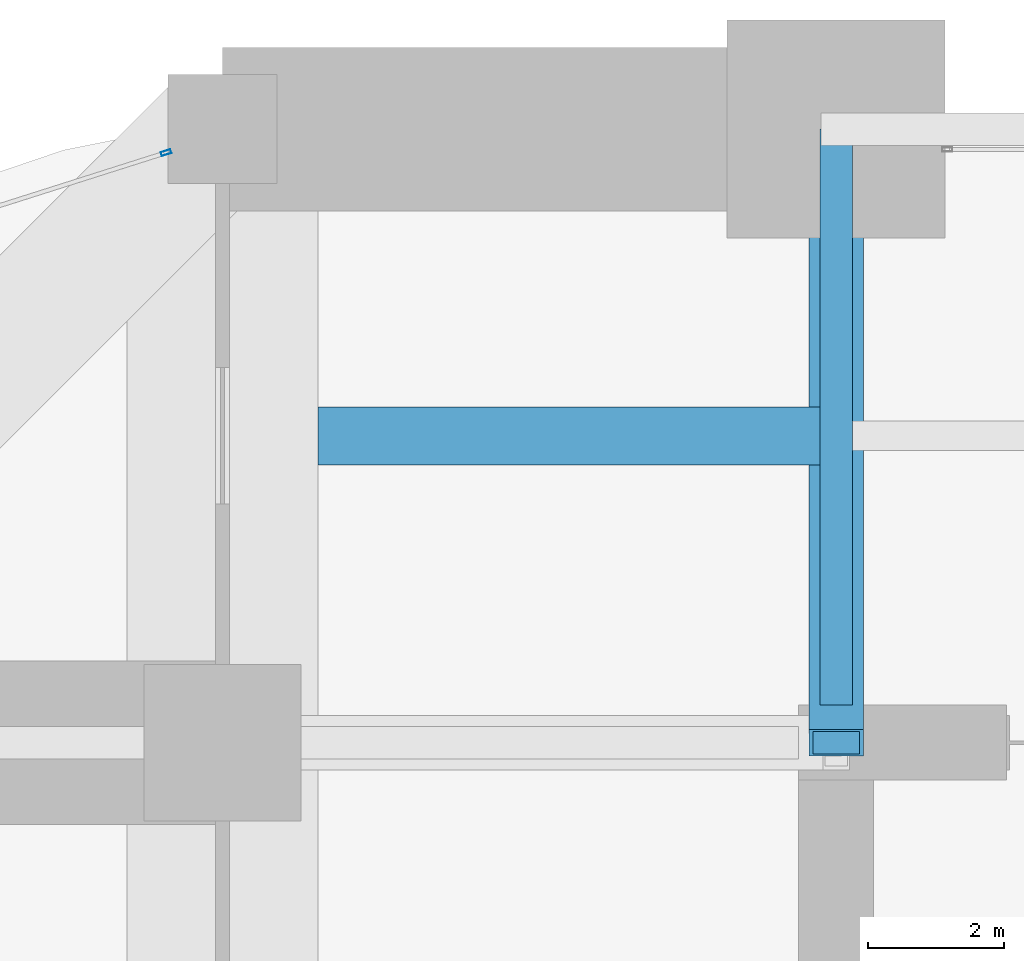
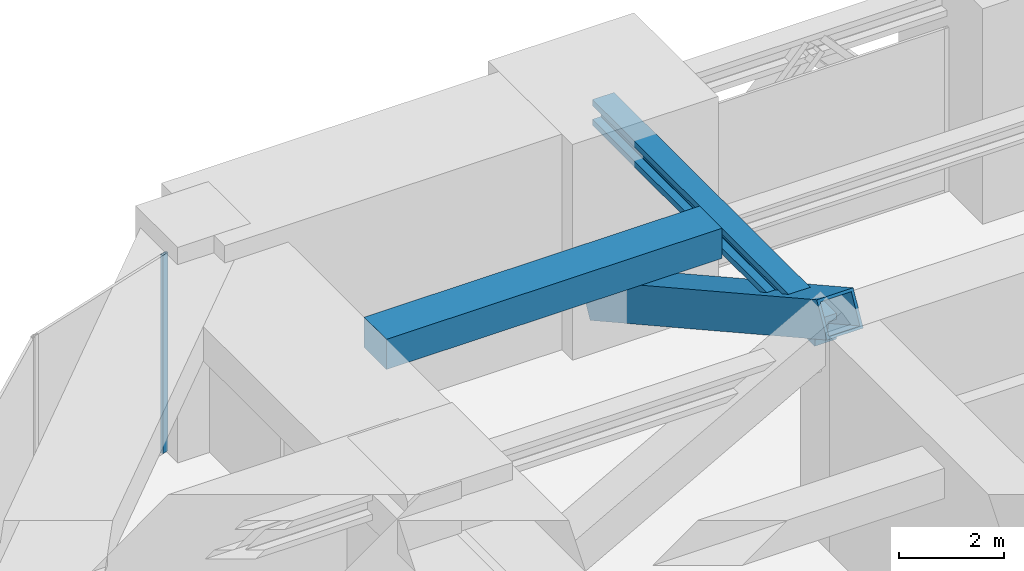
# One storey, part 21 of 32: 2 beams, 2 members, 1 element without a shape of its own.
"""IFC4 building model written with IfcOpenShell, lengths in metres."""

from ifc_helpers import new_model, si_unit, direction, frame, origin, origin_2d, place, context, subcontext, project, spatial, rectangle, hollow_rectangle, i_section, extrude, material, material_profile, profile_set, type_object, element, aggregate, save


model = new_model("IFC4")

# Units and contexts
model_context = context("Model", 3, precision=1e-05, world=origin(), true_north=direction((0.0, 1.0)))
body_context = subcontext(model_context, "Body", "Model", "MODEL_VIEW")
ifc_project = project(units=[si_unit("LENGTHUNIT", "METRE"), si_unit("AREAUNIT", "SQUARE_METRE"), si_unit("VOLUMEUNIT", "CUBIC_METRE"), si_unit("PLANEANGLEUNIT", "RADIAN"), si_unit("MASSUNIT", "GRAM", prefix="KILO")], contexts=[model_context])

# Site, building, storey
site_placement = place(None, origin())
site = spatial("IfcSite", under=ifc_project, at=site_placement, CompositionType="ELEMENT")
building_placement = place(site_placement, origin())
building = spatial("IfcBuilding", under=site, at=building_placement, Name="Zorevar Civic Tower", CompositionType="ELEMENT")
storey_placement = place(building_placement, frame((0.0, 0.0, 234.39990234375)))
storey = spatial("IfcBuildingStorey", under=building, at=storey_placement, Name="L57", CompositionType="ELEMENT", Elevation=234.39990234375)

# Beam
ifc_material_1 = material(Name="Concrete C50/60", Category="concrete")
ifc_material_profile_1 = material_profile(ifc_material_1, rectangle(XDim=0.85009765625, YDim=0.699951171875, at=origin_2d()), Name="RC 850x700")
ifc_profile_set_1 = profile_set([ifc_material_profile_1], Name="Concrete C50/60")
beam_type_1 = type_object("IfcBeamType", Name="Beam RC 850x700", PredefinedType="BEAM", material=ifc_profile_set_1)
beam_1_placement = place(storey_placement, frame((10.39990234375, 40.5, 4.25), z_axis=(1.0, 0.0, 0.0), x_axis=(0.0, 1.0, 0.0)))
element("IfcBeam", 1, at=beam_1_placement, inside=storey, type_object=beam_type_1, Name="Secondary beam L58", PredefinedType="BEAM", context=body_context, shape_type="SweptSolid", body=[
    extrude(rectangle(XDim=0.85009765625, YDim=0.699951171875, at=origin_2d()), origin(), (0.0, 0.0, 1.0), 7.362060546875),
])

# Curtain wall, member
ifc_material_2 = material(Name="Black aluminium louvres", Category="aluminium")
curtain_wall_type = type_object("IfcCurtainWallType", Name="Louvred curtain wall CW6 refuge", PredefinedType="NOTDEFINED", material=ifc_material_2)
curtain_wall_placement = place(storey_placement, origin())
curtain_wall = element("IfcCurtainWall", 2, at=curtain_wall_placement, inside=storey, type_object=curtain_wall_type, Name="CW6 L57", PredefinedType="NOTDEFINED")
ifc_material_3 = material(Name="Aluminium, black anodised", Category="aluminium")
ifc_material_profile_2 = material_profile(ifc_material_3, hollow_rectangle(XDim=0.06005859375, YDim=0.14990234375, WallThickness=0.00390625, at=origin_2d()), Name="AL 150x60x4")
ifc_profile_set_2 = profile_set([ifc_material_profile_2], Name="Aluminium, black anodised")
member_type_1 = type_object("IfcMemberType", Name="CW6 mullion AL 150x60x4", PredefinedType="MULLION", material=ifc_profile_set_2)
member_1_placement = place(storey_placement, frame((8.17138671875, 44.654052734375, 0.0), z_axis=(0.0, 0.0, 1.0), x_axis=(0.302858738154, -0.953035458272, 0.0)))
member_1 = element("IfcMember", 3, at=member_1_placement, type_object=member_type_1, Name="CW6 mullion 1", PredefinedType="MULLION", context=body_context, shape_type="SweptSolid", body=[
    extrude(hollow_rectangle(XDim=0.06005859375, YDim=0.14990234375, WallThickness=0.00390625, at=origin_2d()), origin(), (0.0, 0.0, 1.0), 4.60009765625),
])
aggregate(curtain_wall, [member_1])

# Beam
ifc_material_4 = material(Name="Steel S460M (HISTAR 460)", Category="steel")
ifc_material_profile_3 = material_profile(ifc_material_4, i_section(OverallWidth=0.47607421875, OverallDepth=0.60009765625, WebThickness=0.10009765625, FlangeThickness=0.139892578125, FilletRadius=0.014892578125, at=origin_2d()), Name="HD 400x1299")
ifc_profile_set_3 = profile_set([ifc_material_profile_3], Name="Steel S460M (HISTAR 460)")
beam_type_2 = type_object("IfcBeamType", Name="Outrigger chord HD 400x1299", PredefinedType="BEAM", material=ifc_profile_set_3)
beam_2_placement = place(storey_placement, frame((18.0, 36.550048828125, 4.300048828125), z_axis=(0.0, 1.0, 0.0), x_axis=(-1.0, 0.0, 0.0)))
element("IfcBeam", 4, at=beam_2_placement, inside=storey, type_object=beam_type_2, Name="Outrigger chord L58", PredefinedType="BEAM", context=body_context, shape_type="SweptSolid", body=[
    extrude(i_section(OverallWidth=0.47607421875, OverallDepth=0.60009765625, WebThickness=0.10009765625, FlangeThickness=0.139892578125, FilletRadius=0.014892578125, at=origin_2d()), origin(), (0.0, 0.0, 1.0), 8.449951171875),
])

# Member
ifc_material_5 = material(Name="Steel S460M (HISTAR 460)", Category="steel")
ifc_material_profile_4 = material_profile(ifc_material_5, hollow_rectangle(XDim=0.800048828125, YDim=0.800048828125, WallThickness=0.06005859375, at=origin_2d()), Name="BOX 800x800x60")
ifc_profile_set_4 = profile_set([ifc_material_profile_4], Name="Steel S460M (HISTAR 460)")
member_type_2 = type_object("IfcMemberType", Name="Outrigger diagonal BOX 800x800x60", PredefinedType="BRACE", material=ifc_profile_set_4)
member_2_placement = place(storey_placement, frame((18.0, 36.0, 5.0), z_axis=(0.0, 0.874157276122, -0.485642931179), x_axis=(-1.0, 0.0, 0.0)))
element("IfcMember", 5, at=member_2_placement, inside=storey, type_object=member_type_2, Name="Outrigger diagonal N L57", PredefinedType="BRACE", context=body_context, shape_type="SweptSolid", body=[
    extrude(hollow_rectangle(XDim=0.800048828125, YDim=0.800048828125, WallThickness=0.06005859375, at=origin_2d()), origin(), (0.0, 0.0, 1.0), 10.295654296875),
])

save(model, "model.ifc")
